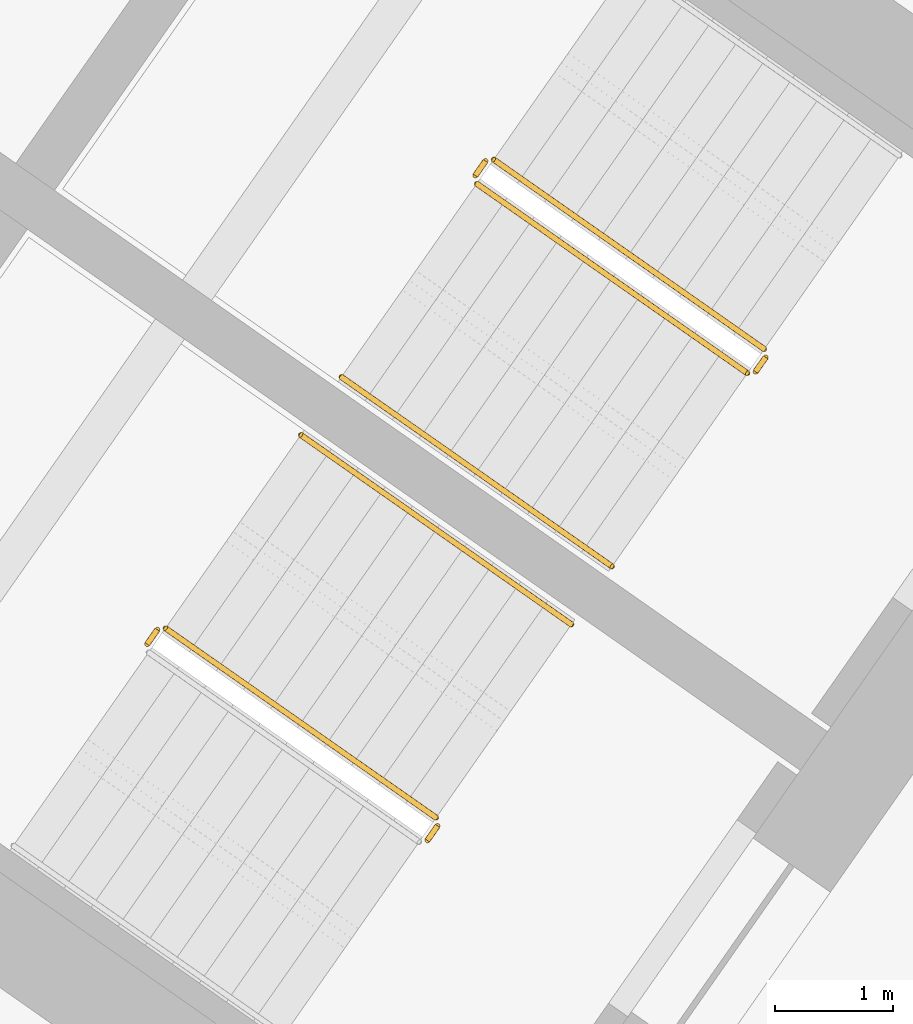
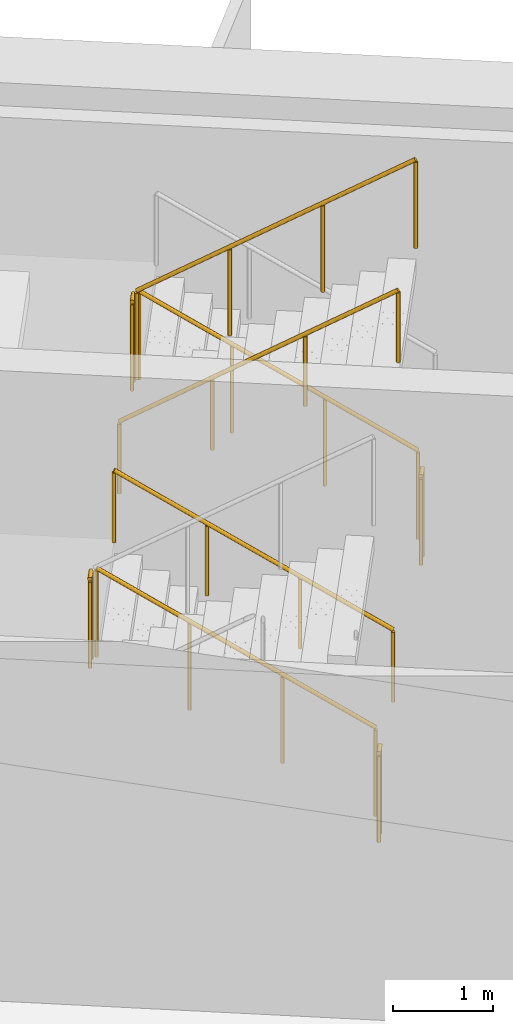
# One storey, part 20 of 21: 9 railings.
"""IFC4 building model written with IfcOpenShell, lengths in metres."""

import ifcopenshell
import ifcopenshell.guid

model = None  # the IFC model being written
_history = None  # IfcOwnerHistory: only IFC2X3 demands one
_inside = {}  # id of a spatial element -> (the spatial element, [elements in it])
_under = {}  # id of a project, library or spatial element -> (it, [spatial elements below it])
_declared = {}  # id of a project -> (the project, [libraries it declares])
_typed = {}  # id of a type object -> (the type object, [elements of that type])
_made_of = {}  # id of a material, layer set ... -> (it, [elements and type objects made of it])


def new_model(schema):
    """Start an empty IFC model of exactly this schema.

    Asked for "IFC4X3", IfcOpenShell would pick the latest addendum, in which some entities
    have other attributes; the version numbers below select the first issue.
    IFC2X3 requires an IfcOwnerHistory on every rooted entity: one is made here for all.
    """
    global model, _history
    if schema == "IFC4X3":
        model = ifcopenshell.file(schema_version=(4, 3, 0, 0))
    else:
        model = ifcopenshell.file(schema=schema)
    _inside.clear()
    _under.clear()
    _declared.clear()
    _typed.clear()
    _made_of.clear()
    _history = None
    if model.schema == "IFC2X3":
        org = make("IfcOrganization", Name="unknown")
        user = make(
            "IfcPersonAndOrganization",
            ThePerson=make("IfcPerson", FamilyName="unknown"),
            TheOrganization=org,
        )
        app = make(
            "IfcApplication",
            ApplicationDeveloper=org,
            Version="unknown",
            ApplicationFullName="unknown",
            ApplicationIdentifier="unknown",
        )
        _history = make(
            "IfcOwnerHistory",
            OwningUser=user,
            OwningApplication=app,
            ChangeAction="ADDED",
            CreationDate=0,
        )
    return model


def make(cls, **values):
    """One entity of the class cls with the attributes given. An attribute that is None is left unset."""
    return model.create_entity(
        cls, **{name: value for name, value in values.items() if value is not None}
    )


def rooted(cls, **values):
    """An entity with a GlobalId (a new one), such as an element, a storey or a relation."""
    return make(cls, GlobalId=ifcopenshell.guid.new(), OwnerHistory=_history, **values)


def si_unit(unit_type, name, prefix=None):
    """IfcSIUnit, for example si_unit("LENGTHUNIT", "METRE", prefix="MILLI")."""
    return make("IfcSIUnit", UnitType=unit_type, Prefix=prefix, Name=name)


def assignment(units):
    """IfcUnitAssignment: the units of a project."""
    return None if units is None else make("IfcUnitAssignment", Units=units)


def point(xyz):
    """IfcCartesianPoint."""
    return None if xyz is None else make("IfcCartesianPoint", Coordinates=xyz)


def direction(xyz):
    """IfcDirection."""
    return None if xyz is None else make("IfcDirection", DirectionRatios=xyz)


def frame(location, z_axis=None, x_axis=None):
    """IfcAxis2Placement3D, a coordinate frame: its origin and axes. An axis left out is left unset."""
    return make(
        "IfcAxis2Placement3D",
        Location=point(location),
        Axis=direction(z_axis),
        RefDirection=direction(x_axis),
    )


def frame_2d(location, x_axis=None):
    """IfcAxis2Placement2D, a coordinate frame in the plane: its origin and x axis."""
    return make(
        "IfcAxis2Placement2D", Location=point(location), RefDirection=direction(x_axis)
    )


def origin():
    """The frame at (0, 0, 0) with its axes left unset."""
    return frame((0.0, 0.0, 0.0))


def origin_2d():
    """The frame at (0, 0) in the plane with its x axis left unset."""
    return frame_2d((0.0, 0.0))


def place(relative_to, where):
    """IfcLocalPlacement: puts the frame where relative to a parent placement (None: the world)."""
    return make(
        "IfcLocalPlacement", PlacementRelTo=relative_to, RelativePlacement=where
    )


def context(
    kind, dimensions, precision=None, world=None, true_north=None, identifier=None
):
    """IfcGeometricRepresentationContext, for example the 3D "Model" context."""
    return make(
        "IfcGeometricRepresentationContext",
        ContextIdentifier=identifier,
        ContextType=kind,
        CoordinateSpaceDimension=dimensions,
        Precision=precision,
        WorldCoordinateSystem=world,
        TrueNorth=true_north,
    )


def subcontext(parent, identifier, kind, view, scale=None):
    """IfcGeometricRepresentationSubContext, for example "Body" below "Model"."""
    return make(
        "IfcGeometricRepresentationSubContext",
        ContextIdentifier=identifier,
        ContextType=kind,
        ParentContext=parent,
        TargetScale=scale,
        TargetView=view,
    )


def project(units=None, contexts=None):
    """IfcProject with its units and contexts."""
    return rooted(
        "IfcProject",
        Name="project",
        RepresentationContexts=contexts,
        UnitsInContext=assignment(units),
    )


def spatial(cls, under=None, at=None, **own):
    """A site, building, storey or space (cls), placed at a placement, below another one or the project."""
    s = rooted(cls, ObjectPlacement=at, **own)
    if under is not None:
        _under.setdefault(under.id(), (under, []))[1].append(s)
    return s


def profile(cls, at=None, kind="AREA", **sizes):
    """A parametric profile (cls). Its sizes go by their IFC names, for example OverallWidth=200.0."""
    return make(cls, ProfileType=kind, Position=at, **sizes)


def circle(**sizes):
    """IfcCircleProfileDef."""
    return profile("IfcCircleProfileDef", **sizes)


def extrude(swept, where, along, depth):
    """IfcExtrudedAreaSolid: the profile swept, set in the frame where, extruded along a direction by depth."""
    return make(
        "IfcExtrudedAreaSolid",
        SweptArea=swept,
        Position=where,
        ExtrudedDirection=direction(along),
        Depth=depth,
    )


def shape(context_of_items, identifier, shape_type, items):
    """IfcShapeRepresentation: the items that make up one representation, for example the "Body"."""
    return make(
        "IfcShapeRepresentation",
        ContextOfItems=context_of_items,
        RepresentationIdentifier=identifier,
        RepresentationType=shape_type,
        Items=items,
    )


def material(Name=None, Category=None):
    """IfcMaterial."""
    return make("IfcMaterial", Name=Name, Category=Category)


def made_of(thing, what):
    """Note that an element or type object is made of a material, layer set ...; save() writes the relation."""
    if what is not None:
        _made_of.setdefault(what.id(), (what, []))[1].append(thing)
    return thing


def type_object(cls, material=None, **own):
    """A type object (cls), such as IfcWallType, which elements share."""
    return made_of(rooted(cls, **own), material)


def element(
    cls,
    number,
    at=None,
    inside=None,
    cuts=None,
    type_object=None,
    material=None,
    context=None,
    identifier="Body",
    shape_type=None,
    held_by="IfcProductDefinitionShape",
    body=None,
    shapes=None,
    **own,
):
    """One element of the class cls, such as IfcWall. Its Tag is "e" and its number.

    at: its placement. inside: the storey or other place that contains it. cuts: it is an
    opening in that element (IfcRelVoidsElement). A single representation is given by context,
    identifier, shape_type and body (its items); several are given by shapes. held_by: the class
    of the entity that holds the representations. save() writes the other relations.
    """
    e = rooted(cls, Tag="e%d" % number, ObjectPlacement=at, **own)
    if body is not None:
        shapes = [shape(context, identifier, shape_type, body)]
    if shapes is not None:
        e.Representation = make(held_by, Representations=shapes)
    if inside is not None:
        _inside.setdefault(inside.id(), (inside, []))[1].append(e)
    if cuts is not None:
        rooted(
            "IfcRelVoidsElement", RelatingBuildingElement=cuts, RelatedOpeningElement=e
        )
    if type_object is not None:
        _typed.setdefault(type_object.id(), (type_object, []))[1].append(e)
    return made_of(e, material)


def aggregate(whole, parts):
    """IfcRelAggregates: a whole, such as a stair, and the parts it consists of."""
    return rooted("IfcRelAggregates", RelatingObject=whole, RelatedObjects=parts)


def save(model, path):
    """Write the relations noted so far, then the file.

    IfcRelAggregates (storeys below a building ...), IfcRelContainedInSpatialStructure (elements
    in a storey), IfcRelDefinesByType, IfcRelAssociatesMaterial and IfcRelDeclares: one each for
    every whole, place, type object, material and project.
    """
    for whole, parts in _under.values():
        aggregate(whole, parts)
    for where, things in _inside.values():
        rooted(
            "IfcRelContainedInSpatialStructure",
            RelatedElements=things,
            RelatingStructure=where,
        )
    for kind, things in _typed.values():
        rooted("IfcRelDefinesByType", RelatedObjects=things, RelatingType=kind)
    for what, things in _made_of.values():
        rooted("IfcRelAssociatesMaterial", RelatedObjects=things, RelatingMaterial=what)
    for by, libraries in _declared.values():
        rooted("IfcRelDeclares", RelatingContext=by, RelatedDefinitions=libraries)
    model.write(path)


model = new_model("IFC4")

# Units and contexts
model_context = context("Model", 3, precision=1e-05, world=origin(), true_north=direction((0.0, 1.0)))
body_context = subcontext(model_context, "Body", "Model", "MODEL_VIEW")
ifc_project = project(units=[si_unit("LENGTHUNIT", "METRE"), si_unit("AREAUNIT", "SQUARE_METRE"), si_unit("VOLUMEUNIT", "CUBIC_METRE"), si_unit("PLANEANGLEUNIT", "RADIAN"), si_unit("MASSUNIT", "GRAM", prefix="KILO")], contexts=[model_context])

# Site, building, storey
site_placement = place(None, origin())
site = spatial("IfcSite", under=ifc_project, at=site_placement, CompositionType="ELEMENT")
building_placement = place(site_placement, origin())
building = spatial("IfcBuilding", under=site, at=building_placement, Name="Tel Ilan Convention Tower", CompositionType="ELEMENT")
storey_placement = place(building_placement, frame((0.0, 0.0, 163.199951171875)))
storey = spatial("IfcBuildingStorey", under=building, at=storey_placement, Name="L37", CompositionType="ELEMENT", Elevation=163.199951171875)

# Railings
ifc_material_1 = material(Name="Stainless Steel Grade 316", Category="steel")
railing_type_1 = type_object("IfcRailingType", Name="Stainless Steel Stair Guard 1100 mm", PredefinedType="GUARDRAIL", material=ifc_material_1)
railing_1_placement = place(storey_placement, frame((23.6787109375, -7.8515625, 0.17724609375)))
element("IfcRailing", 1, at=railing_1_placement, inside=storey, type_object=railing_type_1, Name="L37 S3 stair guard 1", PredefinedType="GUARDRAIL", context=body_context, shape_type="SweptSolid", body=[
    extrude(circle(Radius=0.02392578125, at=origin_2d()), frame((0.0, 0.0, 1.076171875), z_axis=(-0.692084706163, 0.484621375041, 0.534940073605), x_axis=(-0.573591086599, -0.819141785879, 0.0)), (0.0, 0.0, 1.0), 3.313720703125),
    extrude(circle(Radius=0.02099609375, at=origin_2d()), origin(), (0.0, 0.0, 1.0), 1.052001953125),
    extrude(circle(Radius=0.02099609375, at=origin_2d()), frame((-0.764404296875, 0.535400390625, 0.5908203125)), (0.0, 0.0, 1.0), 1.052001953125),
    extrude(circle(Radius=0.02099609375, at=origin_2d()), frame((-1.529052734375, 1.070556640625, 1.181884765625)), (0.0, 0.0, 1.0), 1.052001953125),
    extrude(circle(Radius=0.02099609375, at=origin_2d()), frame((-2.29345703125, 1.60595703125, 1.772705078125)), (0.0, 0.0, 1.0), 1.052001953125),
])
railing_2_placement = place(storey_placement, frame((21.3154296875, -6.2578125, 1.949951171875)))
element("IfcRailing", 2, at=railing_2_placement, inside=storey, type_object=railing_type_1, Name="L37 S3 stair guard 2", PredefinedType="GUARDRAIL", context=body_context, shape_type="SweptSolid", body=[
    extrude(circle(Radius=0.02392578125, at=origin_2d()), frame((0.0, 0.0, 1.076171875), z_axis=(-0.573353020881, -0.819308436089, 0.0), x_axis=(0.819308436089, -0.573353020881, 0.0)), (0.0, 0.0, 1.0), 0.14990234375),
    extrude(circle(Radius=0.02099609375, at=origin_2d()), origin(), (0.0, 0.0, 1.0), 1.052001953125),
    extrude(circle(Radius=0.02099609375, at=origin_2d()), frame((-0.0859375, -0.122802734375, 0.0)), (0.0, 0.0, 1.0), 1.052001953125),
])
railing_3_placement = place(storey_placement, frame((21.24169921875, -6.4501953125, 2.12744140625)))
element("IfcRailing", 3, at=railing_3_placement, inside=storey, type_object=railing_type_1, Name="L37 S3 stair guard 3", PredefinedType="GUARDRAIL", context=body_context, shape_type="SweptSolid", body=[
    extrude(circle(Radius=0.02392578125, at=origin_2d()), frame((0.0, 0.0, 1.076171875), z_axis=(0.692098378994, -0.484653031975, 0.534893701956), x_axis=(0.573608623498, 0.819129505664, 0.0)), (0.0, 0.0, 1.0), 3.314208984375),
    extrude(circle(Radius=0.02099609375, at=origin_2d()), origin(), (0.0, 0.0, 1.0), 1.052001953125),
    extrude(circle(Radius=0.02099609375, at=origin_2d()), frame((0.7646484375, -0.535400390625, 0.5908203125)), (0.0, 0.0, 1.0), 1.052001953125),
    extrude(circle(Radius=0.02099609375, at=origin_2d()), frame((1.529052734375, -1.07080078125, 1.181884765625)), (0.0, 0.0, 1.0), 1.052001953125),
    extrude(circle(Radius=0.02099609375, at=origin_2d()), frame((2.293701171875, -1.606201171875, 1.772705078125)), (0.0, 0.0, 1.0), 1.052001953125),
])
railing_4_placement = place(storey_placement, frame((23.691162109375, -7.921142578125, 0.0)))
element("IfcRailing", 4, at=railing_4_placement, inside=storey, type_object=railing_type_1, Name="L37 S3 stair guard 4", PredefinedType="GUARDRAIL", context=body_context, shape_type="SweptSolid", body=[
    extrude(circle(Radius=0.02392578125, at=origin_2d()), frame((0.0, 0.0, 1.076171875), z_axis=(-0.574444878118, -0.818543268254, 0.0), x_axis=(0.818543268254, -0.574444878118, 0.0)), (0.0, 0.0, 1.0), 0.150146484375),
    extrude(circle(Radius=0.02099609375, at=origin_2d()), origin(), (0.0, 0.0, 1.0), 1.052001953125),
    extrude(circle(Radius=0.02099609375, at=origin_2d()), frame((-0.086181640625, -0.122802734375, 0.0)), (0.0, 0.0, 1.0), 1.052001953125),
])
railing_5_placement = place(storey_placement, frame((20.89697265625, -11.824462890625, 0.17724609375)))
element("IfcRailing", 5, at=railing_5_placement, inside=storey, type_object=railing_type_1, Name="L37 S4 stair guard 1", PredefinedType="GUARDRAIL", context=body_context, shape_type="SweptSolid", body=[
    extrude(circle(Radius=0.02392578125, at=origin_2d()), frame((0.0, 0.0, 1.076171875), z_axis=(-0.692123088272, 0.484596665743, 0.534912798717), x_axis=(-0.573550118428, -0.819170471667, 0.0)), (0.0, 0.0, 1.0), 3.31396484375),
    extrude(circle(Radius=0.02099609375, at=origin_2d()), origin(), (0.0, 0.0, 1.0), 1.052001953125),
    extrude(circle(Radius=0.02099609375, at=origin_2d()), frame((-0.7646484375, 0.535400390625, 0.5908203125)), (0.0, 0.0, 1.0), 1.052001953125),
    extrude(circle(Radius=0.02099609375, at=origin_2d()), frame((-1.529052734375, 1.070556640625, 1.181884765625)), (0.0, 0.0, 1.0), 1.052001953125),
    extrude(circle(Radius=0.02099609375, at=origin_2d()), frame((-2.293701171875, 1.60595703125, 1.772705078125)), (0.0, 0.0, 1.0), 1.052001953125),
])
for number, where, name in (
    (6, (18.53369140625, -10.230712890625, 1.949951171875), "L37 S4 stair guard 2"),
    (7, (20.9091796875, -11.89404296875, 0.0), "L37 S4 stair guard 4"),
):
    element("IfcRailing", number, at=place(storey_placement, frame(where)), inside=storey, type_object=railing_type_1, Name=name, PredefinedType="GUARDRAIL", context=body_context, shape_type="SweptSolid", body=[
        extrude(circle(Radius=0.02392578125, at=origin_2d()), frame((0.0, 0.0, 1.076171875), z_axis=(-0.573353020881, -0.819308436089, 0.0), x_axis=(0.819308436089, -0.573353020881, 0.0)), (0.0, 0.0, 1.0), 0.14990234375),
        extrude(circle(Radius=0.02099609375, at=origin_2d()), origin(), (0.0, 0.0, 1.0), 1.052001953125),
        extrude(circle(Radius=0.02099609375, at=origin_2d()), frame((-0.0859375, -0.122802734375, 0.0)), (0.0, 0.0, 1.0), 1.052001953125),
    ])
ifc_material_2 = material(Name="Stainless Steel Grade 316", Category="steel")
railing_type_2 = type_object("IfcRailingType", Name="Stainless Steel Stair Handrail 900 mm", PredefinedType="HANDRAIL", material=ifc_material_2)
railing_6_placement = place(storey_placement, frame((20.0947265625, -8.088623046875, 2.12744140625)))
element("IfcRailing", 8, at=railing_6_placement, inside=storey, type_object=railing_type_2, Name="L37 S3 stair handrail 2", PredefinedType="HANDRAIL", context=body_context, shape_type="SweptSolid", body=[
    extrude(circle(Radius=0.02392578125, at=origin_2d()), frame((0.0, 0.0, 0.8759765625), z_axis=(0.692084706163, -0.484621375041, 0.534940073605), x_axis=(0.573591086599, 0.819141785879, 0.0)), (0.0, 0.0, 1.0), 3.313720703125),
    extrude(circle(Radius=0.02099609375, at=origin_2d()), origin(), (0.0, 0.0, 1.0), 0.851806640625),
    extrude(circle(Radius=0.02099609375, at=origin_2d()), frame((0.764404296875, -0.535400390625, 0.5908203125)), (0.0, 0.0, 1.0), 0.851806640625),
    extrude(circle(Radius=0.02099609375, at=origin_2d()), frame((1.529052734375, -1.070556640625, 1.181884765625)), (0.0, 0.0, 1.0), 0.851806640625),
    extrude(circle(Radius=0.02099609375, at=origin_2d()), frame((2.29345703125, -1.60595703125, 1.772705078125)), (0.0, 0.0, 1.0), 0.851806640625),
])
railing_7_placement = place(storey_placement, frame((22.044189453125, -10.18603515625, 0.17724609375)))
element("IfcRailing", 9, at=railing_7_placement, inside=storey, type_object=railing_type_2, Name="L37 S4 stair handrail 1", PredefinedType="HANDRAIL", context=body_context, shape_type="SweptSolid", body=[
    extrude(circle(Radius=0.02392578125, at=origin_2d()), frame((0.0, 0.0, 0.8759765625), z_axis=(-0.692123088272, 0.484596665743, 0.534912798717), x_axis=(-0.573550118428, -0.819170471667, 0.0)), (0.0, 0.0, 1.0), 3.31396484375),
    extrude(circle(Radius=0.02099609375, at=origin_2d()), origin(), (0.0, 0.0, 1.0), 0.851806640625),
    extrude(circle(Radius=0.02099609375, at=origin_2d()), frame((-0.7646484375, 0.535400390625, 0.5908203125)), (0.0, 0.0, 1.0), 0.851806640625),
    extrude(circle(Radius=0.02099609375, at=origin_2d()), frame((-1.529052734375, 1.070556640625, 1.181884765625)), (0.0, 0.0, 1.0), 0.851806640625),
    extrude(circle(Radius=0.02099609375, at=origin_2d()), frame((-2.293701171875, 1.60595703125, 1.772705078125)), (0.0, 0.0, 1.0), 0.851806640625),
])

save(model, "model.ifc")
